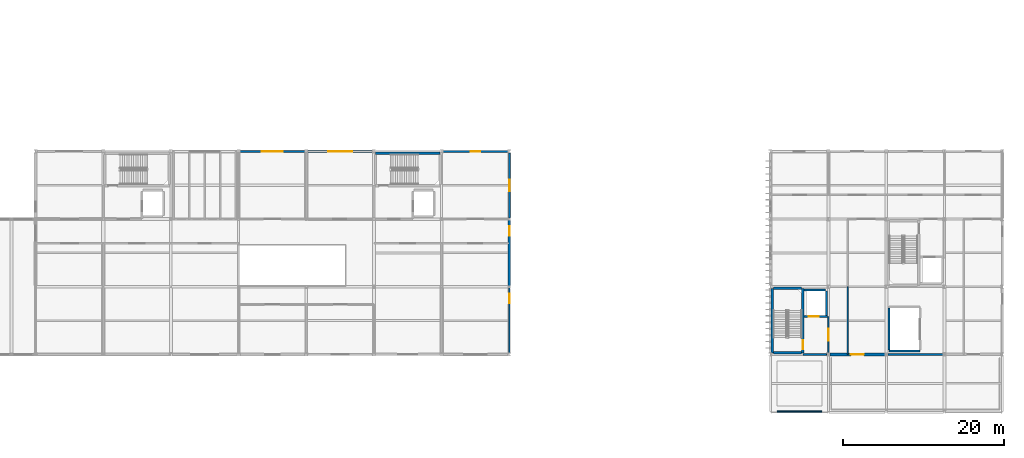
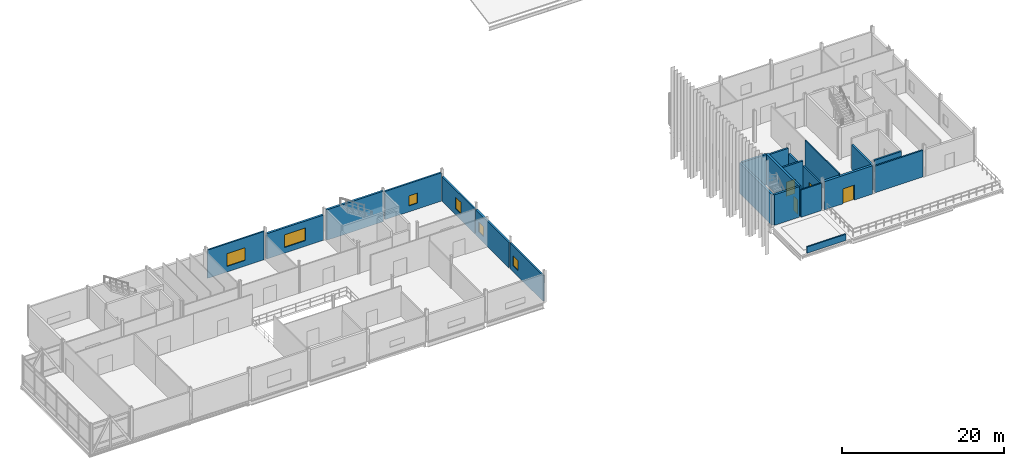
# One storey, part 32 of 45: 22 walls, 6 windows, 4 doors, 10 openings.
"""IFC4 building model written with IfcOpenShell, lengths in metres."""

from ifc_helpers import new_model, si_unit, direction, frame, frame_2d, origin, place, context, subcontext, project, spatial, rectangle, extrude, material, layer, layer_set, type_object, element, fill, save


model = new_model("IFC4")

# Units and contexts
model_context = context("Model", 3, precision=1e-05, world=origin(), true_north=direction((0.0, 1.0)))
body_context = subcontext(model_context, "Body", "Model", "MODEL_VIEW")
ifc_project = project(units=[si_unit("LENGTHUNIT", "METRE"), si_unit("AREAUNIT", "SQUARE_METRE"), si_unit("VOLUMEUNIT", "CUBIC_METRE"), si_unit("PLANEANGLEUNIT", "RADIAN"), si_unit("MASSUNIT", "GRAM", prefix="KILO")], contexts=[model_context])

# Site, building, storey
site_placement = place(None, origin())
site = spatial("IfcSite", under=ifc_project, at=site_placement, CompositionType="ELEMENT")
building_placement = place(site_placement, origin())
building = spatial("IfcBuilding", under=site, at=building_placement, Name="Calvrana Isthmian Art Gallery", CompositionType="ELEMENT")
storey_placement = place(building_placement, frame((0.0, 0.0, 19.800048828125)))
storey = spatial("IfcBuildingStorey", under=building, at=storey_placement, Name="L04", CompositionType="ELEMENT", Elevation=19.800048828125)

# Walls
ifc_material_1 = material(Name="Concrete C40/50", Category="concrete")
ifc_layer_1 = layer(ifc_material_1, 0.300048828125, Name="Concrete C40/50")
ifc_layer_set_1 = layer_set([ifc_layer_1], Name="Concrete C40/50")
wall_type_1 = type_object("IfcWallType", Name="CW-SHAFT-300", PredefinedType="SHEAR", material=ifc_layer_set_1)
for number, where, z_axis, x_axis, name in (
    (1, (63.7900390625, 46.580078125, 0.0), (0.0, 0.0, 1.0), (1.0, 0.0, 0.0), "Core C2 shear wall N L04"),
    (2, (113.02001953125, 21.7900390625, 0.0), (0.0, 0.0, 1.0), (0.0, 1.0, 0.0), "Core C3 shear wall W L04"),
):
    element("IfcWall", number, at=place(storey_placement, frame(where, z_axis=z_axis, x_axis=x_axis)), inside=storey, type_object=wall_type_1, Name=name, PredefinedType="SHEAR", context=body_context, shape_type="SweptSolid", body=[
        extrude(rectangle(XDim=8.02001953125, YDim=0.300048828125, at=frame_2d((4.010009765625, 0.0))), origin(), (0.0, 0.0, 1.0), 4.579833984375),
    ])

# Wall, opening, door
wall_1_placement = place(storey_placement, frame((116.840087890625, 21.7900390625, 0.0), z_axis=(0.0, 0.0, 1.0), x_axis=(0.0, 1.0, 0.0)))
wall_1 = element("IfcWall", 3, at=wall_1_placement, inside=storey, type_object=wall_type_1, Name="Core C3 shear wall E L04", PredefinedType="SHEAR", context=body_context, shape_type="SweptSolid", body=[
    extrude(rectangle(XDim=8.02001953125, YDim=0.300048828125, at=frame_2d((4.010009765625, 0.0))), origin(), (0.0, 0.0, 1.0), 4.579833984375),
])
opening_1_placement = place(wall_1_placement, frame((0.449951171875, 0.0, 0.0)))
opening_1 = element("IfcOpeningElement", 4, at=opening_1_placement, cuts=wall_1, Name="Opening D-138", PredefinedType="OPENING", context=body_context, shape_type="SweptSolid", body=[
    extrude(rectangle(XDim=1.10009765625, YDim=2.14990234375, at=frame_2d((0.550048828125, 1.074951171875))), frame((0.0, 0.16015625, 0.0), z_axis=(0.0, -1.0, 0.0), x_axis=(1.0, 0.0, 0.0)), (0.0, 0.0, 1.0), 0.320556640625),
])
ifc_material_2 = material(Name="Steel ASTM A572 Gr 50", Category="steel")
door_type_1 = type_object("IfcDoorType", Name="DR-FIRE-1100", OperationType="NOTDEFINED", PredefinedType="DOOR", material=ifc_material_2)
door_1_placement = place(opening_1_placement, origin())
door_1 = element("IfcDoor", 5, at=door_1_placement, inside=storey, type_object=door_type_1, Name="Stair ST-3 fire door L04", OperationType="SINGLE_SWING_RIGHT", OverallHeight=2.14990234375, OverallWidth=1.10009765625, PredefinedType="DOOR", context=body_context, shape_type="SweptSolid", body=[
    extrude(rectangle(XDim=1.10009765625, YDim=2.14990234375, at=frame_2d((0.550048828125, 1.074951171875))), frame((0.0, 0.02490234375, 0.0), z_axis=(0.0, -1.0, 0.0), x_axis=(1.0, 0.0, 0.0)), (0.0, 0.0, 1.0), 0.050048828125),
])
fill(opening_1, door_1)

# Walls
for number, where, z_axis, x_axis, name in (
    (6, (113.169921875, 21.7900390625, 0.0), (0.0, 0.0, 1.0), (1.0, 0.0, 0.0), "Core C3 shear wall S L04"),
    (7, (113.169921875, 29.81005859375, 0.0), (0.0, 0.0, 1.0), (1.0, 0.0, 0.0), "Core C3 shear wall N L04"),
):
    element("IfcWall", number, at=place(storey_placement, frame(where, z_axis=z_axis, x_axis=x_axis)), inside=storey, type_object=wall_type_1, Name=name, PredefinedType="SHEAR", context=body_context, shape_type="SweptSolid", body=[
        extrude(rectangle(XDim=3.52001953125, YDim=0.300048828125, at=frame_2d((1.760009765625, 0.0))), origin(), (0.0, 0.0, 1.0), 4.579833984375),
    ])
ifc_material_3 = material(Name="Precast concrete C40/50", Category="concrete")
ifc_layer_2 = layer(ifc_material_3, 0.219970703125, Name="Precast concrete C40/50")
ifc_layer_set_2 = layer_set([ifc_layer_2], Name="Precast concrete C40/50")
wall_type_2 = type_object("IfcWallType", Name="EW-ACOUST-220", PredefinedType="SOLIDWALL", material=ifc_layer_set_2)
wall_2_placement = place(storey_placement, frame((134.21337890625, 21.60009765625, 0.0), z_axis=(0.0, 0.0, 1.0), x_axis=(-1.0, 0.0, 0.0)))
element("IfcWall", 8, at=wall_2_placement, inside=storey, type_object=wall_type_2, Name="Exterior wall EW-187", PredefinedType="SOLIDWALL", context=body_context, shape_type="SweptSolid", body=[
    extrude(rectangle(XDim=6.829345703125, YDim=0.219970703125, at=frame_2d((3.41455078125, 0.0))), origin(), (0.0, 0.0, 1.0), 4.010986328125),
])

# Wall, opening, window
wall_3_placement = place(storey_placement, frame((46.985595703125, 46.800048828125, 0.0), z_axis=(0.0, 0.0, 1.0), x_axis=(1.0, 0.0, 0.0)))
wall_3 = element("IfcWall", 9, at=wall_3_placement, inside=storey, type_object=wall_type_2, Name="Exterior wall EW-191", PredefinedType="SOLIDWALL", context=body_context, shape_type="SweptSolid", body=[
    extrude(rectangle(XDim=8.030517578125, YDim=0.219970703125, at=frame_2d((4.01513671875, 0.0))), origin(), (0.0, 0.0, 1.0), 4.255126953125),
])
opening_2_placement = place(wall_3_placement, frame((2.71533203125, 0.0, 0.85009765625)))
opening_2 = element("IfcOpeningElement", 10, at=opening_2_placement, cuts=wall_3, Name="Opening W-139", PredefinedType="OPENING", context=body_context, shape_type="SweptSolid", body=[
    extrude(rectangle(XDim=2.60009765625, YDim=1.89990234375, at=frame_2d((1.300048828125, 0.949951171875))), frame((0.0, 0.1201171875, 0.0), z_axis=(0.0, -1.0, 0.0), x_axis=(1.0, 0.0, 0.0)), (0.0, 0.0, 1.0), 0.240478515625),
])
ifc_material_4 = material(Name="Low-E laminated solar glass", Category="glass")
window_type_1 = type_object("IfcWindowType", Name="WN-S01", PartitioningType="DOUBLE_PANEL_VERTICAL", PredefinedType="WINDOW", material=ifc_material_4)
window_1_placement = place(opening_2_placement, origin())
window_1 = element("IfcWindow", 11, at=window_1_placement, inside=storey, type_object=window_type_1, Name="Facade window W-139", OverallHeight=1.89990234375, OverallWidth=2.60009765625, PartitioningType="SINGLE_PANEL", PredefinedType="WINDOW", context=body_context, shape_type="SweptSolid", body=[
    extrude(rectangle(XDim=2.60009765625, YDim=1.89990234375, at=frame_2d((1.300048828125, 0.949951171875))), frame((0.0, 0.030029296875, 0.0), z_axis=(0.0, -1.0, 0.0), x_axis=(1.0, 0.0, 0.0)), (0.0, 0.0, 1.0), 0.06005859375),
])
fill(opening_2, window_1)

wall_4_placement = place(storey_placement, frame((80.39990234375, 29.8984375, 0.0), z_axis=(0.0, 0.0, 1.0), x_axis=(0.0, -1.0, 0.0)))
wall_4 = element("IfcWall", 12, at=wall_4_placement, inside=storey, type_object=wall_type_2, Name="Exterior wall EW-199", PredefinedType="SOLIDWALL", context=body_context, shape_type="SweptSolid", body=[
    extrude(rectangle(XDim=8.114501953125, YDim=0.219970703125, at=frame_2d((4.05712890625, 0.0))), origin(), (0.0, 0.0, 1.0), 3.866943359375),
])
opening_3_placement = place(wall_4_placement, frame((0.75, 0.0, 0.89990234375)))
opening_3 = element("IfcOpeningElement", 13, at=opening_3_placement, cuts=wall_4, Name="Opening W-147", PredefinedType="OPENING", context=body_context, shape_type="SweptSolid", body=[
    extrude(rectangle(XDim=1.199951171875, YDim=1.5, at=frame_2d((0.60009765625, 0.75))), frame((0.0, 0.1201171875, 0.0), z_axis=(0.0, -1.0, 0.0), x_axis=(1.0, 0.0, 0.0)), (0.0, 0.0, 1.0), 0.240478515625),
])
window_type_2 = type_object("IfcWindowType", Name="WN-G01", PartitioningType="SINGLE_PANEL", PredefinedType="WINDOW", material=ifc_material_4)
window_2_placement = place(opening_3_placement, origin())
window_2 = element("IfcWindow", 14, at=window_2_placement, inside=storey, type_object=window_type_2, Name="Facade window W-147", OverallHeight=1.5, OverallWidth=1.199951171875, PartitioningType="SINGLE_PANEL", PredefinedType="WINDOW", context=body_context, shape_type="SweptSolid", body=[
    extrude(rectangle(XDim=1.199951171875, YDim=1.5, at=frame_2d((0.60009765625, 0.75))), frame((0.0, 0.030029296875, 0.0), z_axis=(0.0, -1.0, 0.0), x_axis=(1.0, 0.0, 0.0)), (0.0, 0.0, 1.0), 0.06005859375),
])
fill(opening_3, window_2)

ifc_material_5 = material(Name="Pale Isthmian limestone", Category="masonry")
ifc_layer_3 = layer(ifc_material_5, 0.300048828125, Name="Pale Isthmian limestone")
ifc_layer_set_3 = layer_set([ifc_layer_3], Name="Pale Isthmian limestone")
wall_type_3 = type_object("IfcWallType", Name="EW-LIME-300", PredefinedType="SOLIDWALL", material=ifc_layer_set_3)
wall_5_placement = place(storey_placement, frame((55.384033203125, 46.800048828125, 0.0), z_axis=(0.0, 0.0, 1.0), x_axis=(1.0, 0.0, 0.0)))
wall_5 = element("IfcWall", 15, at=wall_5_placement, inside=storey, type_object=wall_type_3, Name="Exterior wall EW-192", PredefinedType="SOLIDWALL", context=body_context, shape_type="SweptSolid", body=[
    extrude(rectangle(XDim=8.029541015625, YDim=0.300048828125, at=frame_2d((4.0146484375, 0.0))), origin(), (0.0, 0.0, 1.0), 3.7978515625),
])
opening_4_placement = place(wall_5_placement, frame((2.514892578125, 0.0, 0.85009765625)))
opening_4 = element("IfcOpeningElement", 16, at=opening_4_placement, cuts=wall_5, Name="Opening W-140", PredefinedType="OPENING", context=body_context, shape_type="SweptSolid", body=[
    extrude(rectangle(XDim=3.0, YDim=1.89990234375, at=frame_2d((1.5, 0.949951171875))), frame((0.0, 0.16015625, 0.0), z_axis=(0.0, -1.0, 0.0), x_axis=(1.0, 0.0, 0.0)), (0.0, 0.0, 1.0), 0.320556640625),
])
window_type_3 = type_object("IfcWindowType", Name="WN-S02", PartitioningType="DOUBLE_PANEL_VERTICAL", PredefinedType="WINDOW", material=ifc_material_4)
window_3_placement = place(opening_4_placement, origin())
window_3 = element("IfcWindow", 17, at=window_3_placement, inside=storey, type_object=window_type_3, Name="Facade window W-140", OverallHeight=1.89990234375, OverallWidth=3.0, PartitioningType="SINGLE_PANEL", PredefinedType="WINDOW", context=body_context, shape_type="SweptSolid", body=[
    extrude(rectangle(XDim=3.0, YDim=1.89990234375, at=frame_2d((1.5, 0.949951171875))), frame((0.0, 0.030029296875, 0.0), z_axis=(0.0, -1.0, 0.0), x_axis=(1.0, 0.0, 0.0)), (0.0, 0.0, 1.0), 0.06005859375),
])
fill(opening_4, window_3)

wall_6_placement = place(storey_placement, frame((80.39990234375, 38.27294921875, 0.0), z_axis=(0.0, 0.0, 1.0), x_axis=(0.0, -1.0, 0.0)))
wall_6 = element("IfcWall", 18, at=wall_6_placement, inside=storey, type_object=wall_type_3, Name="Exterior wall EW-200", PredefinedType="SOLIDWALL", context=body_context, shape_type="SweptSolid", body=[
    extrude(rectangle(XDim=8.17138671875, YDim=0.300048828125, at=frame_2d((4.085693359375, 0.0))), origin(), (0.0, 0.0, 1.0), 3.787841796875),
])
opening_5_placement = place(wall_6_placement, frame((0.75, 0.0, 0.89990234375)))
opening_5 = element("IfcOpeningElement", 19, at=opening_5_placement, cuts=wall_6, Name="Opening W-148", PredefinedType="OPENING", context=body_context, shape_type="SweptSolid", body=[
    extrude(rectangle(XDim=1.199951171875, YDim=1.5, at=frame_2d((0.60009765625, 0.75))), frame((0.0, 0.16015625, 0.0), z_axis=(0.0, -1.0, 0.0), x_axis=(1.0, 0.0, 0.0)), (0.0, 0.0, 1.0), 0.320556640625),
])
window_4_placement = place(opening_5_placement, origin())
window_4 = element("IfcWindow", 20, at=window_4_placement, inside=storey, type_object=window_type_2, Name="Facade window W-148", OverallHeight=1.5, OverallWidth=1.199951171875, PartitioningType="SINGLE_PANEL", PredefinedType="WINDOW", context=body_context, shape_type="SweptSolid", body=[
    extrude(rectangle(XDim=1.199951171875, YDim=1.5, at=frame_2d((0.60009765625, 0.75))), frame((0.0, 0.030029296875, 0.0), z_axis=(0.0, -1.0, 0.0), x_axis=(1.0, 0.0, 0.0)), (0.0, 0.0, 1.0), 0.06005859375),
])
fill(opening_5, window_4)

# Wall, opening, door
ifc_layer_4 = layer(ifc_material_3, 0.35009765625, Name="Precast concrete C40/50")
ifc_layer_set_4 = layer_set([ifc_layer_4], Name="Precast concrete C40/50")
wall_type_4 = type_object("IfcWallType", Name="EW-PREC-350", PredefinedType="SOLIDWALL", material=ifc_layer_set_4)
wall_7_placement = place(storey_placement, frame((127.01611328125, 21.60009765625, 0.0), z_axis=(0.0, 0.0, 1.0), x_axis=(-1.0, 0.0, 0.0)))
wall_7 = element("IfcWall", 21, at=wall_7_placement, inside=storey, type_object=wall_type_4, Name="Exterior wall EW-186", PredefinedType="SOLIDWALL", context=body_context, shape_type="SweptSolid", body=[
    extrude(rectangle(XDim=6.83056640625, YDim=0.35009765625, at=frame_2d((3.415283203125, 0.0))), origin(), (0.0, 0.0, 1.0), 4.255126953125),
])
opening_6_placement = place(wall_7_placement, frame((2.615234375, 0.0, 0.0)))
opening_6 = element("IfcOpeningElement", 22, at=opening_6_placement, cuts=wall_7, Name="Opening D-T28", PredefinedType="OPENING", context=body_context, shape_type="SweptSolid", body=[
    extrude(rectangle(XDim=1.60009765625, YDim=2.25, at=frame_2d((0.800048828125, 1.125))), frame((0.0, 0.185302734375, 0.0), z_axis=(0.0, -1.0, 0.0), x_axis=(1.0, 0.0, 0.0)), (0.0, 0.0, 1.0), 0.37060546875),
])
ifc_material_6 = material(Name="Anodized bronze aluminium 6063-T6", Category="aluminium")
door_type_2 = type_object("IfcDoorType", Name="DR-EXT-TER-1600", OperationType="DOUBLE_DOOR_SINGLE_SWING", PredefinedType="DOOR", material=ifc_material_6)
door_2_placement = place(opening_6_placement, origin())
door_2 = element("IfcDoor", 23, at=door_2_placement, inside=storey, type_object=door_type_2, Name="Sculpture terrace access door D-T28", OperationType="DOUBLE_DOOR_SINGLE_SWING", OverallHeight=2.25, OverallWidth=1.60009765625, PredefinedType="DOOR", context=body_context, shape_type="SweptSolid", body=[
    extrude(rectangle(XDim=1.60009765625, YDim=2.25, at=frame_2d((0.800048828125, 1.125))), frame((0.0, 0.02490234375, 0.0), z_axis=(0.0, -1.0, 0.0), x_axis=(1.0, 0.0, 0.0)), (0.0, 0.0, 1.0), 0.050048828125),
])
fill(opening_6, door_2)

# Wall, opening, window
ifc_material_7 = material(Name="Polychrome glazed terracotta", Category="masonry")
ifc_layer_5 = layer(ifc_material_7, 0.25, Name="Polychrome glazed terracotta")
ifc_layer_set_5 = layer_set([ifc_layer_5], Name="Polychrome glazed terracotta")
wall_type_5 = type_object("IfcWallType", Name="EW-TERRA-250", PredefinedType="SOLIDWALL", material=ifc_layer_set_5)
wall_8_placement = place(storey_placement, frame((72.1865234375, 46.800048828125, 0.0), z_axis=(0.0, 0.0, 1.0), x_axis=(1.0, 0.0, 0.0)))
wall_8 = element("IfcWall", 24, at=wall_8_placement, inside=storey, type_object=wall_type_5, Name="Exterior wall EW-193", PredefinedType="SOLIDWALL", context=body_context, shape_type="SweptSolid", body=[
    extrude(rectangle(XDim=8.028076171875, YDim=0.25, at=frame_2d((4.01416015625, 0.0))), origin(), (0.0, 0.0, 1.0), 4.255126953125),
])
opening_7_placement = place(wall_8_placement, frame((3.4140625, 0.0, 0.89990234375)))
opening_7 = element("IfcOpeningElement", 25, at=opening_7_placement, cuts=wall_8, Name="Opening W-141", PredefinedType="OPENING", context=body_context, shape_type="SweptSolid", body=[
    extrude(rectangle(XDim=1.199951171875, YDim=1.5, at=frame_2d((0.60009765625, 0.75))), frame((0.0, 0.13525390625, 0.0), z_axis=(0.0, -1.0, 0.0), x_axis=(1.0, 0.0, 0.0)), (0.0, 0.0, 1.0), 0.2705078125),
])
window_5_placement = place(opening_7_placement, origin())
window_5 = element("IfcWindow", 26, at=window_5_placement, inside=storey, type_object=window_type_2, Name="Facade window W-141", OverallHeight=1.5, OverallWidth=1.199951171875, PartitioningType="SINGLE_PANEL", PredefinedType="WINDOW", context=body_context, shape_type="SweptSolid", body=[
    extrude(rectangle(XDim=1.199951171875, YDim=1.5, at=frame_2d((0.60009765625, 0.75))), frame((0.0, 0.030029296875, 0.0), z_axis=(0.0, -1.0, 0.0), x_axis=(1.0, 0.0, 0.0)), (0.0, 0.0, 1.0), 0.06005859375),
])
fill(opening_7, window_5)

wall_9_placement = place(storey_placement, frame((80.39990234375, 46.618408203125, 0.0), z_axis=(0.0, 0.0, 1.0), x_axis=(0.0, -1.0, 0.0)))
wall_9 = element("IfcWall", 27, at=wall_9_placement, inside=storey, type_object=wall_type_5, Name="Exterior wall EW-201", PredefinedType="SOLIDWALL", context=body_context, shape_type="SweptSolid", body=[
    extrude(rectangle(XDim=8.09130859375, YDim=0.25, at=frame_2d((4.045654296875, 0.0))), origin(), (0.0, 0.0, 1.0), 3.703857421875),
])
opening_8_placement = place(wall_9_placement, frame((3.345703125, 0.0, 0.89990234375)))
opening_8 = element("IfcOpeningElement", 28, at=opening_8_placement, cuts=wall_9, Name="Opening W-149", PredefinedType="OPENING", context=body_context, shape_type="SweptSolid", body=[
    extrude(rectangle(XDim=1.39990234375, YDim=1.75, at=frame_2d((0.699951171875, 0.875))), frame((0.0, 0.13525390625, 0.0), z_axis=(0.0, -1.0, 0.0), x_axis=(1.0, 0.0, 0.0)), (0.0, 0.0, 1.0), 0.2705078125),
])
window_type_4 = type_object("IfcWindowType", Name="WN-G09", PartitioningType="SINGLE_PANEL", PredefinedType="WINDOW", material=ifc_material_4)
window_6_placement = place(opening_8_placement, origin())
window_6 = element("IfcWindow", 29, at=window_6_placement, inside=storey, type_object=window_type_4, Name="Facade window W-149", OverallHeight=1.75, OverallWidth=1.39990234375, PartitioningType="SINGLE_PANEL", PredefinedType="WINDOW", context=body_context, shape_type="SweptSolid", body=[
    extrude(rectangle(XDim=1.39990234375, YDim=1.75, at=frame_2d((0.699951171875, 0.875))), frame((0.0, 0.030029296875, 0.0), z_axis=(0.0, -1.0, 0.0), x_axis=(1.0, 0.0, 0.0)), (0.0, 0.0, 1.0), 0.06005859375),
])
fill(opening_8, window_6)

# Wall
ifc_material_8 = material(Name="Acoustic gypsum ceiling", Category="gypsum")
ifc_layer_6 = layer(ifc_material_8, 0.199951171875, Name="Acoustic gypsum ceiling")
ifc_layer_set_6 = layer_set([ifc_layer_6], Name="Acoustic gypsum ceiling")
wall_type_6 = type_object("IfcWallType", Name="PW-FIRE-200", PredefinedType="PARTITIONING", material=ifc_layer_set_6)
wall_10_placement = place(storey_placement, frame((116.85009765625, 21.60009765625, 0.0), z_axis=(0.0, 0.0, 1.0), x_axis=(1.0, 0.0, 0.0)))
element("IfcWall", 30, at=wall_10_placement, inside=storey, type_object=wall_type_6, Name="Core C3 lobby south closure L04", PredefinedType="PARTITIONING", context=body_context, shape_type="SweptSolid", body=[
    extrude(rectangle(XDim=2.929931640625, YDim=0.199951171875, at=frame_2d((1.46484375, 0.0))), origin(), (0.0, 0.0, 1.0), 4.097900390625),
])

# Wall, opening, door
wall_11_placement = place(storey_placement, frame((120.0, 21.820068359375, 0.0), z_axis=(0.0, 0.0, 1.0), x_axis=(0.0, 1.0, 0.0)))
wall_11 = element("IfcWall", 31, at=wall_11_placement, inside=storey, type_object=wall_type_6, Name="Core C3 lobby enclosure L04", PredefinedType="PARTITIONING", context=body_context, shape_type="SweptSolid", body=[
    extrude(rectangle(XDim=4.4599609375, YDim=0.199951171875, at=frame_2d((2.22998046875, 0.0))), origin(), (0.0, 0.0, 1.0), 3.787841796875),
])
opening_9_placement = place(wall_11_placement, frame((1.5048828125, 0.0, 0.0)))
opening_9 = element("IfcOpeningElement", 32, at=opening_9_placement, cuts=wall_11, Name="Opening D-139", PredefinedType="OPENING", context=body_context, shape_type="SweptSolid", body=[
    extrude(rectangle(XDim=1.449951171875, YDim=2.199951171875, at=frame_2d((0.72509765625, 1.10009765625))), frame((0.0, 0.1103515625, 0.0), z_axis=(0.0, -1.0, 0.0), x_axis=(1.0, 0.0, 0.0)), (0.0, 0.0, 1.0), 0.220458984375),
])
door_type_3 = type_object("IfcDoorType", Name="DR-LOBBY-1450", OperationType="DOUBLE_DOOR_SINGLE_SWING", PredefinedType="DOOR", material=ifc_material_2)
door_3_placement = place(opening_9_placement, origin())
door_3 = element("IfcDoor", 33, at=door_3_placement, inside=storey, type_object=door_type_3, Name="Core C3 lobby fire door L04", OperationType="DOUBLE_DOOR_SINGLE_SWING", OverallHeight=2.199951171875, OverallWidth=1.449951171875, PredefinedType="DOOR", context=body_context, shape_type="SweptSolid", body=[
    extrude(rectangle(XDim=1.449951171875, YDim=2.199951171875, at=frame_2d((0.72509765625, 1.10009765625))), frame((0.0, 0.02490234375, 0.0), z_axis=(0.0, -1.0, 0.0), x_axis=(1.0, 0.0, 0.0)), (0.0, 0.0, 1.0), 0.050048828125),
])
fill(opening_9, door_3)

# Walls
ifc_layer_7 = layer(ifc_material_8, 0.159912109375, Name="Acoustic gypsum ceiling")
ifc_layer_set_7 = layer_set([ifc_layer_7], Name="Acoustic gypsum ceiling")
wall_type_7 = type_object("IfcWallType", Name="PW-GAL-160", PredefinedType="PARTITIONING", material=ifc_layer_set_7)
wall_12_placement = place(storey_placement, frame((122.39990234375, 21.639892578125, 0.0), z_axis=(0.0, 0.0, 1.0), x_axis=(0.0, 1.0, 0.0)))
element("IfcWall", 34, at=wall_12_placement, inside=storey, type_object=wall_type_7, Name="Interior partition PW-593", PredefinedType="PARTITIONING", context=body_context, shape_type="SweptSolid", body=[
    extrude(rectangle(XDim=8.340087890625, YDim=0.159912109375, at=frame_2d((4.169921875, 0.0))), origin(), (0.0, 0.0, 1.0), 4.56005859375),
])
ifc_material_9 = material(Name="Concrete C35/45", Category="concrete")
ifc_layer_8 = layer(ifc_material_9, 0.25, Name="Concrete C35/45")
ifc_layer_set_8 = layer_set([ifc_layer_8], Name="Concrete C35/45")
wall_type_8 = type_object("IfcWallType", Name="PW-SHAFT-250", PredefinedType="PARTITIONING", material=ifc_layer_set_8)
wall_13_placement = place(storey_placement, frame((116.989990234375, 29.580078125, 0.0), z_axis=(0.0, 0.0, 1.0), x_axis=(1.0, 0.0, 0.0)))
element("IfcWall", 35, at=wall_13_placement, inside=storey, type_object=wall_type_8, Name="Lift EL-03 shaft wall N L04", PredefinedType="PARTITIONING", context=body_context, shape_type="SweptSolid", body=[
    extrude(rectangle(XDim=2.659912109375, YDim=0.25, at=frame_2d((1.330078125, 0.0))), origin(), (0.0, 0.0, 1.0), 4.579833984375),
])
wall_14_placement = place(storey_placement, frame((119.780029296875, 26.449951171875, 0.0), z_axis=(0.0, 0.0, 1.0), x_axis=(0.0, 1.0, 0.0)))
element("IfcWall", 36, at=wall_14_placement, inside=storey, type_object=wall_type_8, Name="Lift EL-03 shaft wall E L04", PredefinedType="PARTITIONING", context=body_context, shape_type="SweptSolid", body=[
    extrude(rectangle(XDim=3.0, YDim=0.25, at=frame_2d((1.5, 0.0))), origin(), (0.0, 0.0, 1.0), 3.787841796875),
])

# Wall, opening, door
wall_15_placement = place(storey_placement, frame((116.989990234375, 26.320068359375, 0.0), z_axis=(0.0, 0.0, 1.0), x_axis=(1.0, 0.0, 0.0)))
wall_15 = element("IfcWall", 37, at=wall_15_placement, inside=storey, type_object=wall_type_8, Name="Lift EL-03 shaft wall S L04", PredefinedType="PARTITIONING", context=body_context, shape_type="SweptSolid", body=[
    extrude(rectangle(XDim=2.889892578125, YDim=0.25, at=frame_2d((1.44482421875, 0.0))), origin(), (0.0, 0.0, 1.0), 4.579833984375),
])
opening_10_placement = place(wall_15_placement, frame((0.550048828125, 0.0, 0.0)))
opening_10 = element("IfcOpeningElement", 38, at=opening_10_placement, cuts=wall_15, Name="Opening LD-03-L04", PredefinedType="OPENING", context=body_context, shape_type="SweptSolid", body=[
    extrude(rectangle(XDim=1.25, YDim=2.14990234375, at=frame_2d((0.625, 1.074951171875))), frame((0.0, 0.13525390625, 0.0), z_axis=(0.0, -1.0, 0.0), x_axis=(1.0, 0.0, 0.0)), (0.0, 0.0, 1.0), 0.2705078125),
])
ifc_material_10 = material(Name="Stainless steel 316", Category="steel")
door_type_4 = type_object("IfcDoorType", Name="DR-LIFT-1250", OperationType="DOUBLE_DOOR_SLIDING", PredefinedType="DOOR", material=ifc_material_10)
door_4_placement = place(opening_10_placement, origin())
door_4 = element("IfcDoor", 39, at=door_4_placement, inside=storey, type_object=door_type_4, Name="Lift EL-03 sliding landing door L04", OperationType="DOUBLE_DOOR_SLIDING", OverallHeight=2.14990234375, OverallWidth=1.25, PredefinedType="DOOR", context=body_context, shape_type="SweptSolid", body=[
    extrude(rectangle(XDim=1.25, YDim=2.14990234375, at=frame_2d((0.625, 1.074951171875))), frame((0.0, 0.02490234375, 0.0), z_axis=(0.0, -1.0, 0.0), x_axis=(1.0, 0.0, 0.0)), (0.0, 0.0, 1.0), 0.050048828125),
])
fill(opening_10, door_4)

# Walls
wall_16_placement = place(storey_placement, frame((127.52001953125, 22.14990234375, 0.0), z_axis=(0.0, 0.0, 1.0), x_axis=(0.0, 1.0, 0.0)))
element("IfcWall", 40, at=wall_16_placement, inside=storey, type_object=wall_type_8, Name="Art goods lift L-G1 shaft W L04", PredefinedType="PARTITIONING", context=body_context, shape_type="SweptSolid", body=[
    extrude(rectangle(XDim=5.2001953125, YDim=0.25, at=frame_2d((2.60009765625, 0.0))), origin(), (0.0, 0.0, 1.0), 3.703857421875),
])
wall_17_placement = place(storey_placement, frame((127.52001953125, 22.02001953125, 0.0), z_axis=(0.0, 0.0, 1.0), x_axis=(1.0, 0.0, 0.0)))
element("IfcWall", 41, at=wall_17_placement, inside=storey, type_object=wall_type_8, Name="Art goods lift L-G1 shaft S L04", PredefinedType="PARTITIONING", context=body_context, shape_type="SweptSolid", body=[
    extrude(rectangle(XDim=3.85986328125, YDim=0.25, at=frame_2d((1.929931640625, 0.0))), origin(), (0.0, 0.0, 1.0), 4.579833984375),
])
ifc_layer_9 = layer(ifc_material_5, 0.199951171875, Name="Pale Isthmian limestone")
ifc_layer_set_9 = layer_set([ifc_layer_9], Name="Pale Isthmian limestone")
wall_type_9 = type_object("IfcWallType", Name="WL-PARA-200", PredefinedType="PARAPET", material=ifc_layer_set_9)
wall_18_placement = place(storey_placement, frame((113.64990234375, 14.52001953125, 0.0), z_axis=(0.0, 0.0, 1.0), x_axis=(1.0, 0.0, 0.0)))
element("IfcWall", 42, at=wall_18_placement, inside=storey, type_object=wall_type_9, Name="Roof parapet WP-33", PredefinedType="PARAPET", context=body_context, shape_type="SweptSolid", body=[
    extrude(rectangle(XDim=5.5, YDim=0.199951171875, at=frame_2d((2.75, 0.0))), origin(), (0.0, 0.0, 1.0), 0.949951171875),
])

save(model, "model.ifc")
